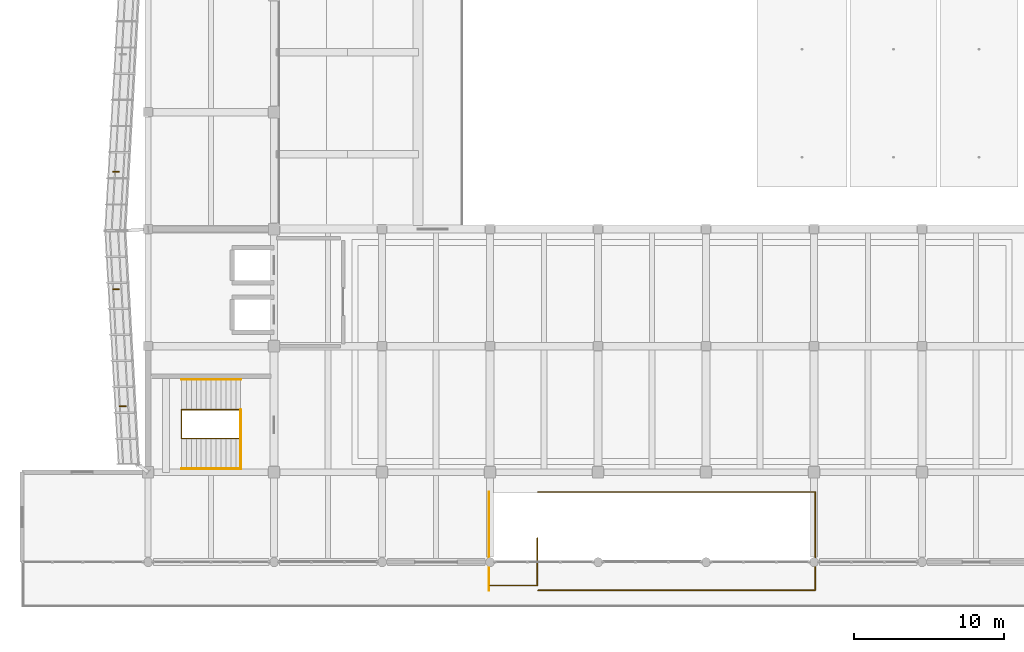
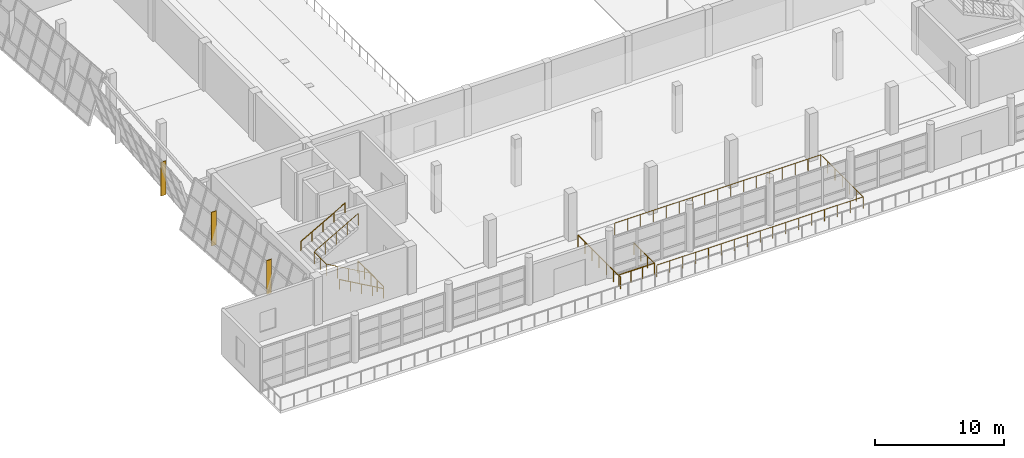
# One storey, part 63 of 71: 7 railings, 3 shading devices.
"""IFC4 building model written with IfcOpenShell, lengths in metres."""

from ifc_helpers import new_model, si_unit, direction, frame, origin, origin_2d, place, context, subcontext, project, spatial, rectangle, circle, extrude, material, type_object, element, save


model = new_model("IFC4")

# Units and contexts
model_context = context("Model", 3, precision=1e-05, world=origin(), true_north=direction((0.0, 1.0)))
body_context = subcontext(model_context, "Body", "Model", "MODEL_VIEW")
ifc_project = project(units=[si_unit("LENGTHUNIT", "METRE"), si_unit("AREAUNIT", "SQUARE_METRE"), si_unit("VOLUMEUNIT", "CUBIC_METRE"), si_unit("PLANEANGLEUNIT", "RADIAN"), si_unit("MASSUNIT", "GRAM", prefix="KILO")], contexts=[model_context])

# Site, building, storey
site_placement = place(None, origin())
site = spatial("IfcSite", under=ifc_project, at=site_placement, CompositionType="ELEMENT")
building_placement = place(site_placement, origin())
building = spatial("IfcBuilding", under=site, at=building_placement, Name="Pellamere Symphony Hall", CompositionType="ELEMENT")
storey_placement = place(building_placement, frame((0.0, 0.0, 15.0)))
storey = spatial("IfcBuildingStorey", under=building, at=storey_placement, Name="L03", CompositionType="ELEMENT", Elevation=15.0)

# Railings
ifc_material_1 = material(Name="Laminated Low-Iron Acoustic Balustrade Glass", Category="glass")
railing_type_1 = type_object("IfcRailingType", Name="Balustrade BL-01 H1120 Laminated", PredefinedType="BALUSTRADE", material=ifc_material_1)
railing_1_placement = place(storey_placement, frame((73.199951171875, 22.449951171875, 0.0)))
element("IfcRailing", 1, at=railing_1_placement, inside=storey, type_object=railing_type_1, Name="Feature Stair Top Bridge Guardrail (L03)", PredefinedType="BALUSTRADE", context=body_context, shape_type="SweptSolid", body=[
    extrude(circle(Radius=0.02392578125, at=origin_2d()), frame((0.0, 0.0, 1.09619140625), z_axis=(1.0, 0.0, 0.0), x_axis=(0.0, 1.0, 0.0)), (0.0, 0.0, 1.0), 3.150146484375),
    extrude(circle(Radius=0.02392578125, at=origin_2d()), frame((3.150146484375, 0.0, 1.09619140625), z_axis=(0.0, 1.0, 0.0), x_axis=(-1.0, 0.0, 0.0)), (0.0, 0.0, 1.0), 3.150146484375),
    extrude(circle(Radius=0.02099609375, at=origin_2d()), origin(), (0.0, 0.0, 1.0), 1.072021484375),
    extrude(circle(Radius=0.02099609375, at=origin_2d()), frame((1.050048828125, 0.0, 0.0)), (0.0, 0.0, 1.0), 1.072021484375),
    extrude(circle(Radius=0.02099609375, at=origin_2d()), frame((2.10009765625, 0.0, 0.0)), (0.0, 0.0, 1.0), 1.072021484375),
    extrude(circle(Radius=0.02099609375, at=origin_2d()), frame((3.150146484375, 0.0, 0.0)), (0.0, 0.0, 1.0), 1.072021484375),
    extrude(circle(Radius=0.02099609375, at=origin_2d()), frame((3.150146484375, 1.050048828125, 0.0)), (0.0, 0.0, 1.0), 1.072021484375),
    extrude(circle(Radius=0.02099609375, at=origin_2d()), frame((3.150146484375, 2.10009765625, 0.0)), (0.0, 0.0, 1.0), 1.072021484375),
    extrude(circle(Radius=0.02099609375, at=origin_2d()), frame((3.150146484375, 3.150146484375, 0.0)), (0.0, 0.0, 1.0), 1.072021484375),
])
railing_2_placement = place(storey_placement, frame((76.39990234375, 22.1201171875, 0.0)))
element("IfcRailing", 2, at=railing_2_placement, inside=storey, type_object=railing_type_1, Name="Safety Guardrail BL-ATR-L03", PredefinedType="BALUSTRADE", context=body_context, shape_type="SweptSolid", body=[
    extrude(circle(Radius=0.02392578125, at=origin_2d()), frame((0.0, 0.0, 1.09619140625), z_axis=(1.0, 0.0, 0.0), x_axis=(0.0, 1.0, 0.0)), (0.0, 0.0, 1.0), 18.47998046875),
    extrude(circle(Radius=0.02392578125, at=origin_2d()), frame((18.47998046875, 0.0, 1.09619140625), z_axis=(0.0, 1.0, 0.0), x_axis=(-1.0, 0.0, 0.0)), (0.0, 0.0, 1.0), 6.559814453125),
    extrude(circle(Radius=0.02392578125, at=origin_2d()), frame((18.47998046875, 6.559814453125, 1.09619140625), z_axis=(-1.0, 0.0, 0.0), x_axis=(0.0, -1.0, 0.0)), (0.0, 0.0, 1.0), 18.47998046875),
    extrude(circle(Radius=0.02099609375, at=origin_2d()), origin(), (0.0, 0.0, 1.0), 1.072021484375),
    extrude(circle(Radius=0.02099609375, at=origin_2d()), frame((1.155029296875, 0.0, 0.0)), (0.0, 0.0, 1.0), 1.072021484375),
    extrude(circle(Radius=0.02099609375, at=origin_2d()), frame((2.31005859375, 0.0, 0.0)), (0.0, 0.0, 1.0), 1.072021484375),
    extrude(circle(Radius=0.02099609375, at=origin_2d()), frame((3.465087890625, 0.0, 0.0)), (0.0, 0.0, 1.0), 1.072021484375),
    extrude(circle(Radius=0.02099609375, at=origin_2d()), frame((4.6201171875, 0.0, 0.0)), (0.0, 0.0, 1.0), 1.072021484375),
    extrude(circle(Radius=0.02099609375, at=origin_2d()), frame((5.77490234375, 0.0, 0.0)), (0.0, 0.0, 1.0), 1.072021484375),
    extrude(circle(Radius=0.02099609375, at=origin_2d()), frame((6.929931640625, 0.0, 0.0)), (0.0, 0.0, 1.0), 1.072021484375),
    extrude(circle(Radius=0.02099609375, at=origin_2d()), frame((8.0849609375, 0.0, 0.0)), (0.0, 0.0, 1.0), 1.072021484375),
    extrude(circle(Radius=0.02099609375, at=origin_2d()), frame((9.239990234375, 0.0, 0.0)), (0.0, 0.0, 1.0), 1.072021484375),
    extrude(circle(Radius=0.02099609375, at=origin_2d()), frame((10.39501953125, 0.0, 0.0)), (0.0, 0.0, 1.0), 1.072021484375),
    extrude(circle(Radius=0.02099609375, at=origin_2d()), frame((11.550048828125, 0.0, 0.0)), (0.0, 0.0, 1.0), 1.072021484375),
    extrude(circle(Radius=0.02099609375, at=origin_2d()), frame((12.705078125, 0.0, 0.0)), (0.0, 0.0, 1.0), 1.072021484375),
    extrude(circle(Radius=0.02099609375, at=origin_2d()), frame((13.85986328125, 0.0, 0.0)), (0.0, 0.0, 1.0), 1.072021484375),
    extrude(circle(Radius=0.02099609375, at=origin_2d()), frame((15.014892578125, 0.0, 0.0)), (0.0, 0.0, 1.0), 1.072021484375),
    extrude(circle(Radius=0.02099609375, at=origin_2d()), frame((16.169921875, 0.0, 0.0)), (0.0, 0.0, 1.0), 1.072021484375),
    extrude(circle(Radius=0.02099609375, at=origin_2d()), frame((17.324951171875, 0.0, 0.0)), (0.0, 0.0, 1.0), 1.072021484375),
    extrude(circle(Radius=0.02099609375, at=origin_2d()), frame((18.47998046875, 0.0, 0.0)), (0.0, 0.0, 1.0), 1.072021484375),
    extrude(circle(Radius=0.02099609375, at=origin_2d()), frame((18.47998046875, 1.09326171875, 0.0)), (0.0, 0.0, 1.0), 1.072021484375),
    extrude(circle(Radius=0.02099609375, at=origin_2d()), frame((18.47998046875, 2.1865234375, 0.0)), (0.0, 0.0, 1.0), 1.072021484375),
    extrude(circle(Radius=0.02099609375, at=origin_2d()), frame((18.47998046875, 3.27978515625, 0.0)), (0.0, 0.0, 1.0), 1.072021484375),
    extrude(circle(Radius=0.02099609375, at=origin_2d()), frame((18.47998046875, 4.373291015625, 0.0)), (0.0, 0.0, 1.0), 1.072021484375),
    extrude(circle(Radius=0.02099609375, at=origin_2d()), frame((18.47998046875, 5.466552734375, 0.0)), (0.0, 0.0, 1.0), 1.072021484375),
    extrude(circle(Radius=0.02099609375, at=origin_2d()), frame((18.47998046875, 6.559814453125, 0.0)), (0.0, 0.0, 1.0), 1.072021484375),
    extrude(circle(Radius=0.02099609375, at=origin_2d()), frame((17.324951171875, 6.559814453125, 0.0)), (0.0, 0.0, 1.0), 1.072021484375),
    extrude(circle(Radius=0.02099609375, at=origin_2d()), frame((16.169921875, 6.559814453125, 0.0)), (0.0, 0.0, 1.0), 1.072021484375),
    extrude(circle(Radius=0.02099609375, at=origin_2d()), frame((15.014892578125, 6.559814453125, 0.0)), (0.0, 0.0, 1.0), 1.072021484375),
    extrude(circle(Radius=0.02099609375, at=origin_2d()), frame((13.85986328125, 6.559814453125, 0.0)), (0.0, 0.0, 1.0), 1.072021484375),
    extrude(circle(Radius=0.02099609375, at=origin_2d()), frame((12.705078125, 6.559814453125, 0.0)), (0.0, 0.0, 1.0), 1.072021484375),
    extrude(circle(Radius=0.02099609375, at=origin_2d()), frame((11.550048828125, 6.559814453125, 0.0)), (0.0, 0.0, 1.0), 1.072021484375),
    extrude(circle(Radius=0.02099609375, at=origin_2d()), frame((10.39501953125, 6.559814453125, 0.0)), (0.0, 0.0, 1.0), 1.072021484375),
    extrude(circle(Radius=0.02099609375, at=origin_2d()), frame((9.239990234375, 6.559814453125, 0.0)), (0.0, 0.0, 1.0), 1.072021484375),
    extrude(circle(Radius=0.02099609375, at=origin_2d()), frame((8.0849609375, 6.559814453125, 0.0)), (0.0, 0.0, 1.0), 1.072021484375),
    extrude(circle(Radius=0.02099609375, at=origin_2d()), frame((6.929931640625, 6.559814453125, 0.0)), (0.0, 0.0, 1.0), 1.072021484375),
    extrude(circle(Radius=0.02099609375, at=origin_2d()), frame((5.77490234375, 6.559814453125, 0.0)), (0.0, 0.0, 1.0), 1.072021484375),
    extrude(circle(Radius=0.02099609375, at=origin_2d()), frame((4.6201171875, 6.559814453125, 0.0)), (0.0, 0.0, 1.0), 1.072021484375),
    extrude(circle(Radius=0.02099609375, at=origin_2d()), frame((3.465087890625, 6.559814453125, 0.0)), (0.0, 0.0, 1.0), 1.072021484375),
    extrude(circle(Radius=0.02099609375, at=origin_2d()), frame((2.31005859375, 6.559814453125, 0.0)), (0.0, 0.0, 1.0), 1.072021484375),
    extrude(circle(Radius=0.02099609375, at=origin_2d()), frame((1.155029296875, 6.559814453125, 0.0)), (0.0, 0.0, 1.0), 1.072021484375),
    extrude(circle(Radius=0.02099609375, at=origin_2d()), frame((0.0, 6.559814453125, 0.0)), (0.0, 0.0, 1.0), 1.072021484375),
])
railing_3_placement = place(storey_placement, frame((73.1201171875, 22.1201171875, 0.0)))
element("IfcRailing", 3, at=railing_3_placement, inside=storey, type_object=railing_type_1, Name="Safety Guardrail BL-ATR-L03W", PredefinedType="BALUSTRADE", context=body_context, shape_type="SweptSolid", body=[
    extrude(circle(Radius=0.02392578125, at=origin_2d()), frame((0.0, 0.0, 1.09619140625), z_axis=(0.0, 1.0, 0.0), x_axis=(-1.0, 0.0, 0.0)), (0.0, 0.0, 1.0), 6.559814453125),
    extrude(circle(Radius=0.02099609375, at=origin_2d()), origin(), (0.0, 0.0, 1.0), 1.072021484375),
    extrude(circle(Radius=0.02099609375, at=origin_2d()), frame((0.0, 1.09326171875, 0.0)), (0.0, 0.0, 1.0), 1.072021484375),
    extrude(circle(Radius=0.02099609375, at=origin_2d()), frame((0.0, 2.1865234375, 0.0)), (0.0, 0.0, 1.0), 1.072021484375),
    extrude(circle(Radius=0.02099609375, at=origin_2d()), frame((0.0, 3.27978515625, 0.0)), (0.0, 0.0, 1.0), 1.072021484375),
    extrude(circle(Radius=0.02099609375, at=origin_2d()), frame((0.0, 4.373291015625, 0.0)), (0.0, 0.0, 1.0), 1.072021484375),
    extrude(circle(Radius=0.02099609375, at=origin_2d()), frame((0.0, 5.466552734375, 0.0)), (0.0, 0.0, 1.0), 1.072021484375),
    extrude(circle(Radius=0.02099609375, at=origin_2d()), frame((0.0, 6.559814453125, 0.0)), (0.0, 0.0, 1.0), 1.072021484375),
])

# Shading devices
ifc_material_2 = material(Name="Champagne-Anodised Extruded Aluminium 6063-T6", Category="aluminium")
shading_device_type = type_object("IfcShadingDeviceType", Name="Exterior Shading SD-01 65x450", PredefinedType="SHUTTER", material=ifc_material_2)
for number, where, z_axis, x_axis, name in (
    (4, (48.2685546875, 50.02490234375, 0.64990234375), (0.0, 0.0, 1.0), (0.0, 1.0, 0.0), "Crystal Acoustic Sunshade Fin CW-CR17 (L03)"),
    (5, (48.2685546875, 42.199951171875, 0.64990234375), (0.0, 0.0, 1.0), (0.0, 1.0, 0.0), "Crystal Acoustic Sunshade Fin CW-CR18 (L03)"),
    (6, (48.718505859375, 34.39990234375, 0.64990234375), (0.0, 0.0, 1.0), (0.0, 1.0, 0.0), "Crystal Acoustic Sunshade Fin CW-CR18 (L03)"),
):
    element("IfcShadingDevice", number, at=place(storey_placement, frame(where, z_axis=z_axis, x_axis=x_axis)), inside=storey, type_object=shading_device_type, Name=name, PredefinedType="SHUTTER", context=body_context, shape_type="SweptSolid", body=[
        extrude(rectangle(XDim=0.06494140625, YDim=0.449951171875, at=origin_2d()), origin(), (0.0, 0.0, 1.0), 3.199951171875),
    ])

# Railings
ifc_material_3 = material(Name="Painted Steel CSA G40.21 350W", Category="steel")
railing_type_2 = type_object("IfcRailingType", Name="Guardrail GR-02 H1150 Painted", PredefinedType="GUARDRAIL", material=ifc_material_3)
railing_4_placement = place(storey_placement, frame((56.574951171875, 32.239990234375, 0.0)))
element("IfcRailing", 7, at=railing_4_placement, inside=storey, type_object=railing_type_2, Name="Stair ST01-L03 Continuous Well Guardrail (L03)", PredefinedType="GUARDRAIL", context=body_context, shape_type="SweptSolid", body=[
    extrude(circle(Radius=0.02392578125, at=origin_2d()), frame((0.0, 0.0, 1.1259765625), z_axis=(-0.868916562865, 0.0, 0.494958590974), x_axis=(0.0, -1.0, 0.0)), (0.0, 0.0, 1.0), 4.5458984375),
    extrude(circle(Radius=0.02392578125, at=origin_2d()), frame((-3.949951171875, 0.0, 3.3759765625), z_axis=(0.0, 1.0, 0.0), x_axis=(-1.0, 0.0, 0.0)), (0.0, 0.0, 1.0), 1.919921875),
    extrude(circle(Radius=0.02392578125, at=origin_2d()), frame((-3.949951171875, 1.919921875, 3.3759765625), z_axis=(0.868916562865, 0.0, 0.494958590974), x_axis=(0.0, 1.0, 0.0)), (0.0, 0.0, 1.0), 4.5458984375),
    extrude(circle(Radius=0.02099609375, at=origin_2d()), origin(), (0.0, 0.0, 1.0), 1.101806640625),
    extrude(circle(Radius=0.02099609375, at=origin_2d()), frame((-0.987548828125, 0.0, 0.5625)), (0.0, 0.0, 1.0), 1.101806640625),
    extrude(circle(Radius=0.02099609375, at=origin_2d()), frame((-1.97509765625, 0.0, 1.125)), (0.0, 0.0, 1.0), 1.101806640625),
    extrude(circle(Radius=0.02099609375, at=origin_2d()), frame((-2.96240234375, 0.0, 1.6875)), (0.0, 0.0, 1.0), 1.101806640625),
    extrude(circle(Radius=0.02099609375, at=origin_2d()), frame((-3.949951171875, 0.0, 2.25)), (0.0, 0.0, 1.0), 1.101806640625),
    extrude(circle(Radius=0.02099609375, at=origin_2d()), frame((-3.949951171875, 0.9599609375, 2.25)), (0.0, 0.0, 1.0), 1.101806640625),
    extrude(circle(Radius=0.02099609375, at=origin_2d()), frame((-3.949951171875, 1.919921875, 2.25)), (0.0, 0.0, 1.0), 1.101806640625),
    extrude(circle(Radius=0.02099609375, at=origin_2d()), frame((-2.96240234375, 1.919921875, 2.8125)), (0.0, 0.0, 1.0), 1.101806640625),
    extrude(circle(Radius=0.02099609375, at=origin_2d()), frame((-1.97509765625, 1.919921875, 3.375)), (0.0, 0.0, 1.0), 1.101806640625),
    extrude(circle(Radius=0.02099609375, at=origin_2d()), frame((-0.987548828125, 1.919921875, 3.9375)), (0.0, 0.0, 1.0), 1.101806640625),
    extrude(circle(Radius=0.02099609375, at=origin_2d()), frame((0.0, 1.919921875, 4.5)), (0.0, 0.0, 1.0), 1.101806640625),
])
railing_5_placement = place(storey_placement, frame((56.574951171875, 30.2099609375, 0.0)))
element("IfcRailing", 8, at=railing_5_placement, inside=storey, type_object=railing_type_2, Name="Stair ST01-L03 Landing Well Slot Guard (L03)", PredefinedType="GUARDRAIL", context=body_context, shape_type="SweptSolid", body=[
    extrude(circle(Radius=0.02392578125, at=origin_2d()), frame((0.0, 0.0, 1.1259765625), z_axis=(0.0, 1.0, 0.0), x_axis=(-1.0, 0.0, 0.0)), (0.0, 0.0, 1.0), 3.949951171875),
    extrude(circle(Radius=0.02099609375, at=origin_2d()), origin(), (0.0, 0.0, 1.0), 1.101806640625),
    extrude(circle(Radius=0.02099609375, at=origin_2d()), frame((0.0, 0.987548828125, 0.0)), (0.0, 0.0, 1.0), 1.101806640625),
    extrude(circle(Radius=0.02099609375, at=origin_2d()), frame((0.0, 1.97509765625, 0.0)), (0.0, 0.0, 1.0), 1.101806640625),
    extrude(circle(Radius=0.02099609375, at=origin_2d()), frame((0.0, 2.96240234375, 0.0)), (0.0, 0.0, 1.0), 1.101806640625),
    extrude(circle(Radius=0.02099609375, at=origin_2d()), frame((0.0, 3.949951171875, 0.0)), (0.0, 0.0, 1.0), 1.101806640625),
])
ifc_material_4 = material(Name="Stainless Steel AISI 316", Category="steel")
railing_type_3 = type_object("IfcRailingType", Name="Handrail HR-01 H920 Stainless", PredefinedType="HANDRAIL", material=ifc_material_4)
railing_6_placement = place(storey_placement, frame((56.574951171875, 30.219970703125, 0.0)))
element("IfcRailing", 9, at=railing_6_placement, inside=storey, type_object=railing_type_3, Name="Stair ST01-L03 Lower Wall Handrail (L03)", PredefinedType="HANDRAIL", context=body_context, shape_type="SweptSolid", body=[
    extrude(circle(Radius=0.02392578125, at=origin_2d()), frame((0.0, 0.0, 0.89599609375), z_axis=(-0.868916562865, 0.0, 0.494958590974), x_axis=(0.0, -1.0, 0.0)), (0.0, 0.0, 1.0), 4.5458984375),
    extrude(circle(Radius=0.02099609375, at=origin_2d()), origin(), (0.0, 0.0, 1.0), 0.871826171875),
    extrude(circle(Radius=0.02099609375, at=origin_2d()), frame((-0.987548828125, 0.0, 0.5625)), (0.0, 0.0, 1.0), 0.871826171875),
    extrude(circle(Radius=0.02099609375, at=origin_2d()), frame((-1.97509765625, 0.0, 1.125)), (0.0, 0.0, 1.0), 0.871826171875),
    extrude(circle(Radius=0.02099609375, at=origin_2d()), frame((-2.96240234375, 0.0, 1.6875)), (0.0, 0.0, 1.0), 0.871826171875),
    extrude(circle(Radius=0.02099609375, at=origin_2d()), frame((-3.949951171875, 0.0, 2.25)), (0.0, 0.0, 1.0), 0.871826171875),
])
railing_7_placement = place(storey_placement, frame((52.625, 36.179931640625, 2.25)))
element("IfcRailing", 10, at=railing_7_placement, inside=storey, type_object=railing_type_3, Name="Stair ST01-L03 Upper Wall Handrail (L03)", PredefinedType="HANDRAIL", context=body_context, shape_type="SweptSolid", body=[
    extrude(circle(Radius=0.02392578125, at=origin_2d()), frame((0.0, 0.0, 0.89599609375), z_axis=(0.868916562865, 0.0, 0.494958590974), x_axis=(0.0, 1.0, 0.0)), (0.0, 0.0, 1.0), 4.5458984375),
    extrude(circle(Radius=0.02099609375, at=origin_2d()), origin(), (0.0, 0.0, 1.0), 0.871826171875),
    extrude(circle(Radius=0.02099609375, at=origin_2d()), frame((0.987548828125, 0.0, 0.5625)), (0.0, 0.0, 1.0), 0.871826171875),
    extrude(circle(Radius=0.02099609375, at=origin_2d()), frame((1.97509765625, 0.0, 1.125)), (0.0, 0.0, 1.0), 0.871826171875),
    extrude(circle(Radius=0.02099609375, at=origin_2d()), frame((2.96240234375, 0.0, 1.6875)), (0.0, 0.0, 1.0), 0.871826171875),
    extrude(circle(Radius=0.02099609375, at=origin_2d()), frame((3.949951171875, 0.0, 2.25)), (0.0, 0.0, 1.0), 0.871826171875),
])

save(model, "model.ifc")
